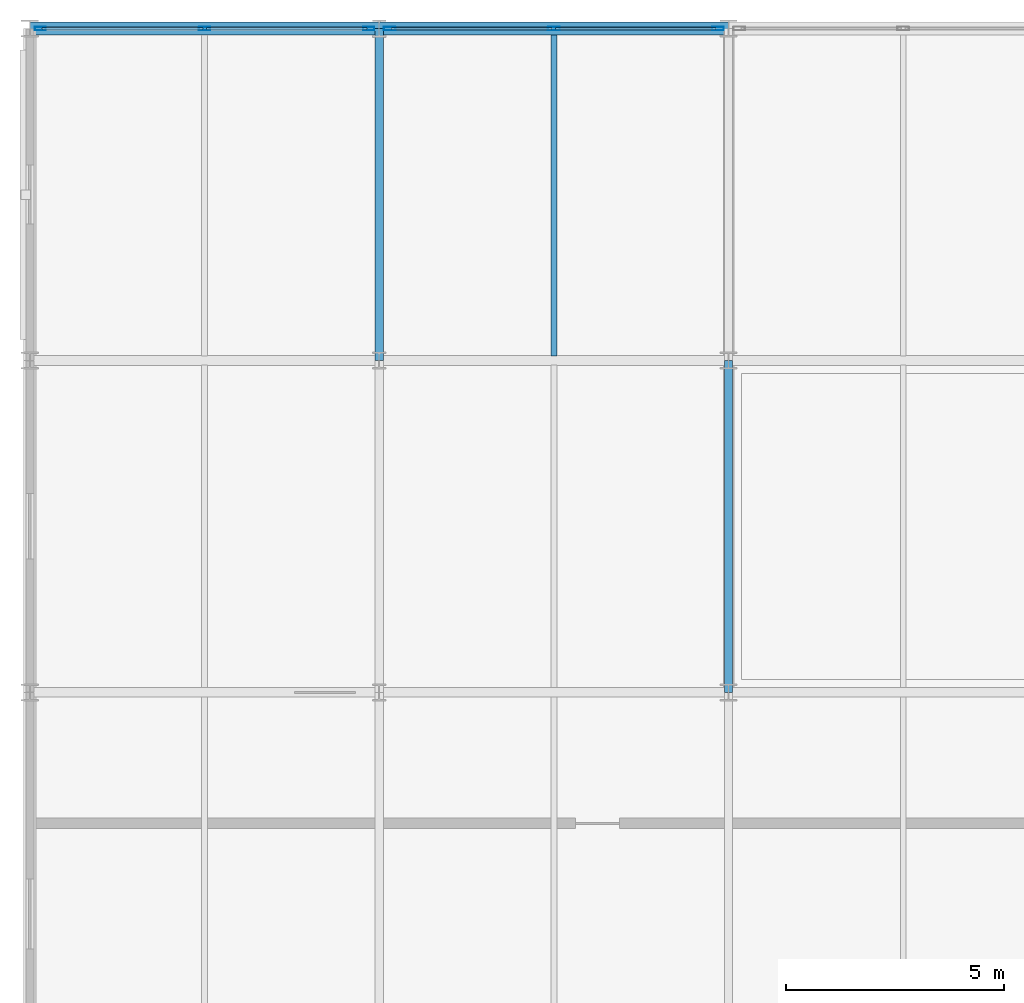
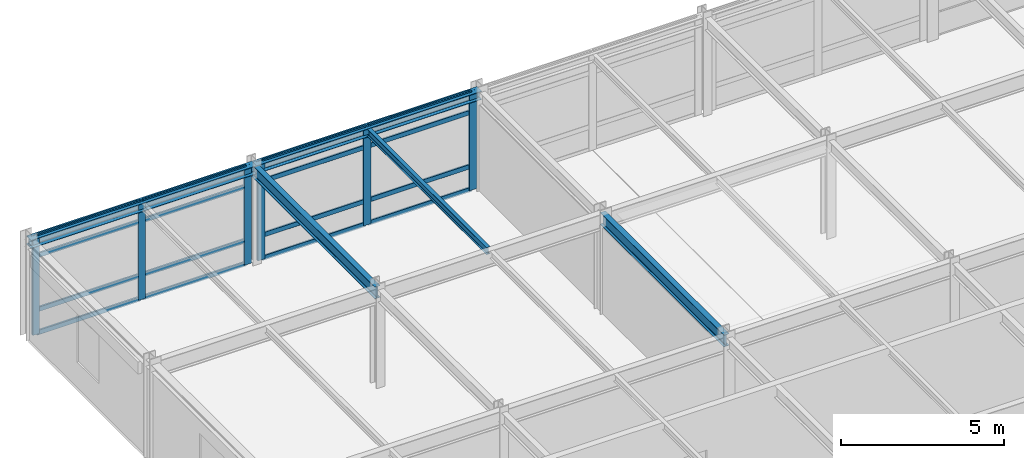
# One storey, part 6 of 14: 22 members, 5 beams, 2 elements without a shape of their own.
"""IFC4 building model written with IfcOpenShell, lengths in metres."""

from ifc_helpers import new_model, si_unit, direction, frame, origin, origin_2d, place, context, subcontext, project, spatial, hollow_rectangle, i_section, extrude, material, layer, layer_set, material_profile, profile_set, type_object, element, aggregate, save


model = new_model("IFC4")

# Units and contexts
model_context = context("Model", 3, precision=1e-05, world=origin(), true_north=direction((0.0, 1.0)))
body_context = subcontext(model_context, "Body", "Model", "MODEL_VIEW")
ifc_project = project(units=[si_unit("LENGTHUNIT", "METRE"), si_unit("AREAUNIT", "SQUARE_METRE"), si_unit("VOLUMEUNIT", "CUBIC_METRE"), si_unit("PLANEANGLEUNIT", "RADIAN"), si_unit("MASSUNIT", "GRAM", prefix="KILO")], contexts=[model_context])

# Site, building, storey
site_placement = place(None, origin())
site = spatial("IfcSite", under=ifc_project, at=site_placement, CompositionType="ELEMENT")
building_placement = place(site_placement, origin())
building = spatial("IfcBuilding", under=site, at=building_placement, Name="Shalkamar Park Central Library", CompositionType="ELEMENT")
storey_placement = place(building_placement, frame((0.0, 0.0, 32.10009765625)))
storey = spatial("IfcBuildingStorey", under=building, at=storey_placement, Name="L08", CompositionType="ELEMENT", Elevation=32.10009765625)

# Beam
ifc_material_1 = material(Name="Steel S355", Category="steel")
ifc_material_profile_1 = material_profile(ifc_material_1, i_section(OverallWidth=0.135009765625, OverallDepth=0.27001953125, WebThickness=0.006591796875, FlangeThickness=0.01025390625, FilletRadius=0.014892578125, at=origin_2d()), Name="IPE 270")
ifc_profile_set_1 = profile_set([ifc_material_profile_1], Name="Steel S355")
beam_type_1 = type_object("IfcBeamType", Name="Composite Floor Joist IPE270", PredefinedType="JOIST", material=ifc_profile_set_1)
beam_1_placement = place(storey_placement, frame((177.0, 285.7080078125, 3.544921875), z_axis=(0.0, 1.0, 0.0), x_axis=(-1.0, 0.0, 0.0)))
element("IfcBeam", 1, at=beam_1_placement, inside=storey, type_object=beam_type_1, Name="Composite Joist 08/G-1 (L08)", PredefinedType="JOIST", context=body_context, shape_type="SweptSolid", body=[
    extrude(i_section(OverallWidth=0.135009765625, OverallDepth=0.27001953125, WebThickness=0.006591796875, FlangeThickness=0.01025390625, FilletRadius=0.014892578125, at=origin_2d()), origin(), (0.0, 0.0, 1.0), 7.343994140625),
])

# Curtain wall, members
ifc_material_2 = material(Name="Thermally broken aluminium and triple low-e curtain wall", Category="aluminium")
ifc_layer_1 = layer(ifc_material_2, 0.2548828125)
ifc_layer_set_1 = layer_set([ifc_layer_1], Name="UnitisedCurtainWall_75")
curtain_wall_type_1 = type_object("IfcCurtainWallType", Name="Unitised Curtain Wall 75", PredefinedType="USERDEFINED", material=ifc_layer_set_1)
curtain_wall_1_placement = place(storey_placement, origin())
curtain_wall_1 = element("IfcCurtainWall", 2, at=curtain_wall_1_placement, inside=storey, type_object=curtain_wall_type_1, Name="Unitised Curtain Wall CW-L08-105", ObjectType="UNITISED CURTAIN WALL", PredefinedType="USERDEFINED")
ifc_material_3 = material(Name="Aluminium 6060-T66", Category="aluminium")
ifc_material_profile_2 = material_profile(ifc_material_3, hollow_rectangle(XDim=0.080078125, YDim=0.2548828125, WallThickness=0.00439453125, InnerFilletRadius=0.00439453125, OuterFilletRadius=0.0068359375, at=origin_2d()), Name="ALU 80x255x4.5")
ifc_profile_set_2 = profile_set([ifc_material_profile_2], Name="Aluminium 6060-T66")
member_type_1 = type_object("IfcMemberType", Name="Curtain Wall Mullion ALU80x255", PredefinedType="MULLION", material=ifc_profile_set_2)
member_1_placement = place(storey_placement, frame((165.242919921875, 293.199951171875, 0.0), z_axis=(0.0, 0.0, 1.0), x_axis=(0.0, 1.0, 0.0)))
member_1 = element("IfcMember", 3, at=member_1_placement, type_object=member_type_1, Name="CW-75 mullion 1", PredefinedType="MULLION", context=body_context, shape_type="SweptSolid", body=[
    extrude(hollow_rectangle(XDim=0.080078125, YDim=0.2548828125, WallThickness=0.00439453125, InnerFilletRadius=0.00439453125, OuterFilletRadius=0.0068359375, at=origin_2d()), origin(), (0.0, 0.0, 1.0), 3.679931640625),
])
member_2_placement = place(storey_placement, frame((169.000732421875, 293.199951171875, 0.0), z_axis=(0.0, 0.0, 1.0), x_axis=(0.0, 1.0, 0.0)))
member_2 = element("IfcMember", 4, at=member_2_placement, type_object=member_type_1, Name="CW-75 mullion 2", PredefinedType="MULLION", context=body_context, shape_type="SweptSolid", body=[
    extrude(hollow_rectangle(XDim=0.080078125, YDim=0.2548828125, WallThickness=0.00439453125, InnerFilletRadius=0.00439453125, OuterFilletRadius=0.0068359375, at=origin_2d()), origin(), (0.0, 0.0, 1.0), 3.679931640625),
])
member_3_placement = place(storey_placement, frame((172.758544921875, 293.199951171875, 0.0), z_axis=(0.0, 0.0, 1.0), x_axis=(0.0, 1.0, 0.0)))
member_3 = element("IfcMember", 5, at=member_3_placement, type_object=member_type_1, Name="CW-75 mullion 3", PredefinedType="MULLION", context=body_context, shape_type="SweptSolid", body=[
    extrude(hollow_rectangle(XDim=0.080078125, YDim=0.2548828125, WallThickness=0.00439453125, InnerFilletRadius=0.00439453125, OuterFilletRadius=0.0068359375, at=origin_2d()), origin(), (0.0, 0.0, 1.0), 3.679931640625),
])

ifc_layer_2 = layer(ifc_material_2, 0.27001953125)
ifc_layer_set_2 = layer_set([ifc_layer_2], Name="UnitisedCurtainWall_76")
curtain_wall_type_2 = type_object("IfcCurtainWallType", Name="Unitised Curtain Wall 76", PredefinedType="USERDEFINED", material=ifc_layer_set_2)
curtain_wall_2_placement = place(storey_placement, origin())
curtain_wall_2 = element("IfcCurtainWall", 6, at=curtain_wall_2_placement, inside=storey, type_object=curtain_wall_type_2, Name="Unitised Curtain Wall CW-L08-106", ObjectType="UNITISED CURTAIN WALL", PredefinedType="USERDEFINED")
ifc_material_profile_3 = material_profile(ifc_material_3, hollow_rectangle(XDim=0.080078125, YDim=0.27001953125, WallThickness=0.0048828125, InnerFilletRadius=0.0048828125, OuterFilletRadius=0.007568359375, at=origin_2d()), Name="ALU 80x270x5")
ifc_profile_set_3 = profile_set([ifc_material_profile_3], Name="Aluminium 6060-T66")
member_type_2 = type_object("IfcMemberType", Name="Curtain Wall Mullion ALU80x270", PredefinedType="MULLION", material=ifc_profile_set_3)
member_4_placement = place(storey_placement, frame((173.241455078125, 293.199951171875, 0.0), z_axis=(0.0, 0.0, 1.0), x_axis=(0.0, 1.0, 0.0)))
member_4 = element("IfcMember", 7, at=member_4_placement, type_object=member_type_2, Name="CW-76 mullion 1", PredefinedType="MULLION", context=body_context, shape_type="SweptSolid", body=[
    extrude(hollow_rectangle(XDim=0.080078125, YDim=0.27001953125, WallThickness=0.0048828125, InnerFilletRadius=0.0048828125, OuterFilletRadius=0.007568359375, at=origin_2d()), origin(), (0.0, 0.0, 1.0), 3.679931640625),
])
member_5_placement = place(storey_placement, frame((176.999267578125, 293.199951171875, 0.0), z_axis=(0.0, 0.0, 1.0), x_axis=(0.0, 1.0, 0.0)))
member_5 = element("IfcMember", 8, at=member_5_placement, type_object=member_type_2, Name="CW-76 mullion 2", PredefinedType="MULLION", context=body_context, shape_type="SweptSolid", body=[
    extrude(hollow_rectangle(XDim=0.080078125, YDim=0.27001953125, WallThickness=0.0048828125, InnerFilletRadius=0.0048828125, OuterFilletRadius=0.007568359375, at=origin_2d()), origin(), (0.0, 0.0, 1.0), 3.679931640625),
])
member_6_placement = place(storey_placement, frame((180.757080078125, 293.199951171875, 0.0), z_axis=(0.0, 0.0, 1.0), x_axis=(0.0, 1.0, 0.0)))
member_6 = element("IfcMember", 9, at=member_6_placement, type_object=member_type_2, Name="CW-76 mullion 3", PredefinedType="MULLION", context=body_context, shape_type="SweptSolid", body=[
    extrude(hollow_rectangle(XDim=0.080078125, YDim=0.27001953125, WallThickness=0.0048828125, InnerFilletRadius=0.0048828125, OuterFilletRadius=0.007568359375, at=origin_2d()), origin(), (0.0, 0.0, 1.0), 3.679931640625),
])

# Member
ifc_material_profile_4 = material_profile(ifc_material_3, hollow_rectangle(XDim=0.06494140625, YDim=0.169921875, WallThickness=0.00390625, InnerFilletRadius=0.00390625, OuterFilletRadius=0.006103515625, at=origin_2d()), Name="ALU 65x170x4")
ifc_profile_set_4 = profile_set([ifc_material_profile_4], Name="Aluminium 6060-T66")
member_type_3 = type_object("IfcMemberType", Name="Curtain Wall Transom ALU65x170", PredefinedType="USERDEFINED", material=ifc_profile_set_4)
member_7_placement = place(storey_placement, frame((165.282958984375, 293.199951171875, 0.032470703125), z_axis=(1.0, 0.0, 0.0), x_axis=(0.0, 1.0, 0.0)))
member_7 = element("IfcMember", 10, at=member_7_placement, type_object=member_type_3, Name="CW-75 transom 1.1", ObjectType="TRANSOM", PredefinedType="USERDEFINED", context=body_context, shape_type="SweptSolid", body=[
    extrude(hollow_rectangle(XDim=0.06494140625, YDim=0.169921875, WallThickness=0.00390625, InnerFilletRadius=0.00390625, OuterFilletRadius=0.006103515625, at=origin_2d()), origin(), (0.0, 0.0, 1.0), 3.677734375),
])

member_8_placement = place(storey_placement, frame((165.282958984375, 293.199951171875, 0.89990234375), z_axis=(1.0, 0.0, 0.0), x_axis=(0.0, 1.0, 0.0)))
member_8 = element("IfcMember", 11, at=member_8_placement, type_object=member_type_3, Name="CW-75 transom 1.2", ObjectType="TRANSOM", PredefinedType="USERDEFINED", context=body_context, shape_type="SweptSolid", body=[
    extrude(hollow_rectangle(XDim=0.06494140625, YDim=0.169921875, WallThickness=0.00390625, InnerFilletRadius=0.00390625, OuterFilletRadius=0.006103515625, at=origin_2d()), origin(), (0.0, 0.0, 1.0), 3.677734375),
])

member_9_placement = place(storey_placement, frame((165.282958984375, 293.199951171875, 2.929931640625), z_axis=(1.0, 0.0, 0.0), x_axis=(0.0, 1.0, 0.0)))
member_9 = element("IfcMember", 12, at=member_9_placement, type_object=member_type_3, Name="CW-75 transom 1.3", ObjectType="TRANSOM", PredefinedType="USERDEFINED", context=body_context, shape_type="SweptSolid", body=[
    extrude(hollow_rectangle(XDim=0.06494140625, YDim=0.169921875, WallThickness=0.00390625, InnerFilletRadius=0.00390625, OuterFilletRadius=0.006103515625, at=origin_2d()), origin(), (0.0, 0.0, 1.0), 3.677734375),
])

member_10_placement = place(storey_placement, frame((165.282958984375, 293.199951171875, 3.6474609375), z_axis=(1.0, 0.0, 0.0), x_axis=(0.0, 1.0, 0.0)))
member_10 = element("IfcMember", 13, at=member_10_placement, type_object=member_type_3, Name="CW-75 transom 1.4", ObjectType="TRANSOM", PredefinedType="USERDEFINED", context=body_context, shape_type="SweptSolid", body=[
    extrude(hollow_rectangle(XDim=0.06494140625, YDim=0.169921875, WallThickness=0.00390625, InnerFilletRadius=0.00390625, OuterFilletRadius=0.006103515625, at=origin_2d()), origin(), (0.0, 0.0, 1.0), 3.677734375),
])

member_11_placement = place(storey_placement, frame((169.040771484375, 293.199951171875, 0.032470703125), z_axis=(1.0, 0.0, 0.0), x_axis=(0.0, 1.0, 0.0)))
member_11 = element("IfcMember", 14, at=member_11_placement, type_object=member_type_3, Name="CW-75 transom 2.1", ObjectType="TRANSOM", PredefinedType="USERDEFINED", context=body_context, shape_type="SweptSolid", body=[
    extrude(hollow_rectangle(XDim=0.06494140625, YDim=0.169921875, WallThickness=0.00390625, InnerFilletRadius=0.00390625, OuterFilletRadius=0.006103515625, at=origin_2d()), origin(), (0.0, 0.0, 1.0), 3.677734375),
])

member_12_placement = place(storey_placement, frame((169.040771484375, 293.199951171875, 0.89990234375), z_axis=(1.0, 0.0, 0.0), x_axis=(0.0, 1.0, 0.0)))
member_12 = element("IfcMember", 15, at=member_12_placement, type_object=member_type_3, Name="CW-75 transom 2.2", ObjectType="TRANSOM", PredefinedType="USERDEFINED", context=body_context, shape_type="SweptSolid", body=[
    extrude(hollow_rectangle(XDim=0.06494140625, YDim=0.169921875, WallThickness=0.00390625, InnerFilletRadius=0.00390625, OuterFilletRadius=0.006103515625, at=origin_2d()), origin(), (0.0, 0.0, 1.0), 3.677734375),
])

member_13_placement = place(storey_placement, frame((169.040771484375, 293.199951171875, 2.929931640625), z_axis=(1.0, 0.0, 0.0), x_axis=(0.0, 1.0, 0.0)))
member_13 = element("IfcMember", 16, at=member_13_placement, type_object=member_type_3, Name="CW-75 transom 2.3", ObjectType="TRANSOM", PredefinedType="USERDEFINED", context=body_context, shape_type="SweptSolid", body=[
    extrude(hollow_rectangle(XDim=0.06494140625, YDim=0.169921875, WallThickness=0.00390625, InnerFilletRadius=0.00390625, OuterFilletRadius=0.006103515625, at=origin_2d()), origin(), (0.0, 0.0, 1.0), 3.677734375),
])

member_14_placement = place(storey_placement, frame((169.040771484375, 293.199951171875, 3.6474609375), z_axis=(1.0, 0.0, 0.0), x_axis=(0.0, 1.0, 0.0)))
member_14 = element("IfcMember", 17, at=member_14_placement, type_object=member_type_3, Name="CW-75 transom 2.4", ObjectType="TRANSOM", PredefinedType="USERDEFINED", context=body_context, shape_type="SweptSolid", body=[
    extrude(hollow_rectangle(XDim=0.06494140625, YDim=0.169921875, WallThickness=0.00390625, InnerFilletRadius=0.00390625, OuterFilletRadius=0.006103515625, at=origin_2d()), origin(), (0.0, 0.0, 1.0), 3.677734375),
])

aggregate(curtain_wall_1, [member_1, member_2, member_3, member_7, member_8, member_9, member_10, member_11, member_12, member_13, member_14])

ifc_material_profile_5 = material_profile(ifc_material_3, hollow_rectangle(XDim=0.06494140625, YDim=0.175048828125, WallThickness=0.00439453125, InnerFilletRadius=0.00439453125, OuterFilletRadius=0.0068359375, at=origin_2d()), Name="ALU 65x175x4.5")
ifc_profile_set_5 = profile_set([ifc_material_profile_5], Name="Aluminium 6060-T66")
member_type_4 = type_object("IfcMemberType", Name="Curtain Wall Transom ALU65x175", PredefinedType="USERDEFINED", material=ifc_profile_set_5)
member_15_placement = place(storey_placement, frame((173.281494140625, 293.199951171875, 0.032470703125), z_axis=(1.0, 0.0, 0.0), x_axis=(0.0, 1.0, 0.0)))
member_15 = element("IfcMember", 18, at=member_15_placement, type_object=member_type_4, Name="CW-76 transom 1.1", ObjectType="TRANSOM", PredefinedType="USERDEFINED", context=body_context, shape_type="SweptSolid", body=[
    extrude(hollow_rectangle(XDim=0.06494140625, YDim=0.175048828125, WallThickness=0.00439453125, InnerFilletRadius=0.00439453125, OuterFilletRadius=0.0068359375, at=origin_2d()), origin(), (0.0, 0.0, 1.0), 3.677734375),
])

member_16_placement = place(storey_placement, frame((173.281494140625, 293.199951171875, 0.89990234375), z_axis=(1.0, 0.0, 0.0), x_axis=(0.0, 1.0, 0.0)))
member_16 = element("IfcMember", 19, at=member_16_placement, type_object=member_type_4, Name="CW-76 transom 1.2", ObjectType="TRANSOM", PredefinedType="USERDEFINED", context=body_context, shape_type="SweptSolid", body=[
    extrude(hollow_rectangle(XDim=0.06494140625, YDim=0.175048828125, WallThickness=0.00439453125, InnerFilletRadius=0.00439453125, OuterFilletRadius=0.0068359375, at=origin_2d()), origin(), (0.0, 0.0, 1.0), 3.677734375),
])

member_17_placement = place(storey_placement, frame((173.281494140625, 293.199951171875, 2.929931640625), z_axis=(1.0, 0.0, 0.0), x_axis=(0.0, 1.0, 0.0)))
member_17 = element("IfcMember", 20, at=member_17_placement, type_object=member_type_4, Name="CW-76 transom 1.3", ObjectType="TRANSOM", PredefinedType="USERDEFINED", context=body_context, shape_type="SweptSolid", body=[
    extrude(hollow_rectangle(XDim=0.06494140625, YDim=0.175048828125, WallThickness=0.00439453125, InnerFilletRadius=0.00439453125, OuterFilletRadius=0.0068359375, at=origin_2d()), origin(), (0.0, 0.0, 1.0), 3.677734375),
])

member_18_placement = place(storey_placement, frame((173.281494140625, 293.199951171875, 3.6474609375), z_axis=(1.0, 0.0, 0.0), x_axis=(0.0, 1.0, 0.0)))
member_18 = element("IfcMember", 21, at=member_18_placement, type_object=member_type_4, Name="CW-76 transom 1.4", ObjectType="TRANSOM", PredefinedType="USERDEFINED", context=body_context, shape_type="SweptSolid", body=[
    extrude(hollow_rectangle(XDim=0.06494140625, YDim=0.175048828125, WallThickness=0.00439453125, InnerFilletRadius=0.00439453125, OuterFilletRadius=0.0068359375, at=origin_2d()), origin(), (0.0, 0.0, 1.0), 3.677734375),
])

member_19_placement = place(storey_placement, frame((177.039306640625, 293.199951171875, 0.032470703125), z_axis=(1.0, 0.0, 0.0), x_axis=(0.0, 1.0, 0.0)))
member_19 = element("IfcMember", 22, at=member_19_placement, type_object=member_type_4, Name="CW-76 transom 2.1", ObjectType="TRANSOM", PredefinedType="USERDEFINED", context=body_context, shape_type="SweptSolid", body=[
    extrude(hollow_rectangle(XDim=0.06494140625, YDim=0.175048828125, WallThickness=0.00439453125, InnerFilletRadius=0.00439453125, OuterFilletRadius=0.0068359375, at=origin_2d()), origin(), (0.0, 0.0, 1.0), 3.677734375),
])

member_20_placement = place(storey_placement, frame((177.039306640625, 293.199951171875, 0.89990234375), z_axis=(1.0, 0.0, 0.0), x_axis=(0.0, 1.0, 0.0)))
member_20 = element("IfcMember", 23, at=member_20_placement, type_object=member_type_4, Name="CW-76 transom 2.2", ObjectType="TRANSOM", PredefinedType="USERDEFINED", context=body_context, shape_type="SweptSolid", body=[
    extrude(hollow_rectangle(XDim=0.06494140625, YDim=0.175048828125, WallThickness=0.00439453125, InnerFilletRadius=0.00439453125, OuterFilletRadius=0.0068359375, at=origin_2d()), origin(), (0.0, 0.0, 1.0), 3.677734375),
])

member_21_placement = place(storey_placement, frame((177.039306640625, 293.199951171875, 2.929931640625), z_axis=(1.0, 0.0, 0.0), x_axis=(0.0, 1.0, 0.0)))
member_21 = element("IfcMember", 24, at=member_21_placement, type_object=member_type_4, Name="CW-76 transom 2.3", ObjectType="TRANSOM", PredefinedType="USERDEFINED", context=body_context, shape_type="SweptSolid", body=[
    extrude(hollow_rectangle(XDim=0.06494140625, YDim=0.175048828125, WallThickness=0.00439453125, InnerFilletRadius=0.00439453125, OuterFilletRadius=0.0068359375, at=origin_2d()), origin(), (0.0, 0.0, 1.0), 3.677734375),
])

member_22_placement = place(storey_placement, frame((177.039306640625, 293.199951171875, 3.6474609375), z_axis=(1.0, 0.0, 0.0), x_axis=(0.0, 1.0, 0.0)))
member_22 = element("IfcMember", 25, at=member_22_placement, type_object=member_type_4, Name="CW-76 transom 2.4", ObjectType="TRANSOM", PredefinedType="USERDEFINED", context=body_context, shape_type="SweptSolid", body=[
    extrude(hollow_rectangle(XDim=0.06494140625, YDim=0.175048828125, WallThickness=0.00439453125, InnerFilletRadius=0.00439453125, OuterFilletRadius=0.0068359375, at=origin_2d()), origin(), (0.0, 0.0, 1.0), 3.677734375),
])

aggregate(curtain_wall_2, [member_4, member_5, member_6, member_15, member_16, member_17, member_18, member_19, member_20, member_21, member_22])

# Beams
ifc_material_profile_6 = material_profile(ifc_material_1, i_section(OverallWidth=0.300048828125, OverallDepth=0.31005859375, WebThickness=0.009033203125, FlangeThickness=0.015380859375, FilletRadius=0.027099609375, at=origin_2d()), Name="HEA 320")
ifc_profile_set_6 = profile_set([ifc_material_profile_6], Name="Steel S355")
beam_type_2 = type_object("IfcBeamType", Name="Perimeter Spandrel Beam HEA320", PredefinedType="SPANDREL", material=ifc_profile_set_6)
for number, where, z_axis, x_axis, name in (
    (26, (165.0, 293.199951171875, 3.52490234375), (1.0, 0.0, 0.0), (0.0, 1.0, 0.0), "Beam H:07-08 (L08)"),
    (27, (173.0, 293.199951171875, 3.52490234375), (1.0, 0.0, 0.0), (0.0, 1.0, 0.0), "Beam H:08-09 (L08)"),
):
    element("IfcBeam", number, at=place(storey_placement, frame(where, z_axis=z_axis, x_axis=x_axis)), inside=storey, type_object=beam_type_2, Name=name, PredefinedType="SPANDREL", context=body_context, shape_type="SweptSolid", body=[
        extrude(i_section(OverallWidth=0.300048828125, OverallDepth=0.31005859375, WebThickness=0.009033203125, FlangeThickness=0.015380859375, FilletRadius=0.027099609375, at=origin_2d()), origin(), (0.0, 0.0, 1.0), 8.0),
    ])
ifc_material_profile_7 = material_profile(ifc_material_1, i_section(OverallWidth=0.18994140625, OverallDepth=0.449951171875, WebThickness=0.009521484375, FlangeThickness=0.0146484375, FilletRadius=0.02099609375, at=origin_2d()), Name="IPE 450")
ifc_profile_set_7 = profile_set([ifc_material_profile_7], Name="Steel S355")
beam_type_3 = type_object("IfcBeamType", Name="Primary Girder IPE450", PredefinedType="BEAM", material=ifc_profile_set_7)
beam_2_placement = place(storey_placement, frame((173.0, 285.60009765625, 3.454833984375), z_axis=(0.0, 1.0, 0.0), x_axis=(-1.0, 0.0, 0.0)))
element("IfcBeam", 28, at=beam_2_placement, inside=storey, type_object=beam_type_3, Name="Beam 08:G-H (L08)", PredefinedType="BEAM", context=body_context, shape_type="SweptSolid", body=[
    extrude(i_section(OverallWidth=0.18994140625, OverallDepth=0.449951171875, WebThickness=0.009521484375, FlangeThickness=0.0146484375, FilletRadius=0.02099609375, at=origin_2d()), origin(), (0.0, 0.0, 1.0), 7.599853515625),
])
beam_3_placement = place(storey_placement, frame((181.0, 278.0, 3.454833984375), z_axis=(0.0, 1.0, 0.0), x_axis=(-1.0, 0.0, 0.0)))
element("IfcBeam", 29, at=beam_3_placement, inside=storey, type_object=beam_type_3, Name="Beam 09:F-G (L08)", PredefinedType="BEAM", context=body_context, shape_type="SweptSolid", body=[
    extrude(i_section(OverallWidth=0.18994140625, OverallDepth=0.449951171875, WebThickness=0.009521484375, FlangeThickness=0.0146484375, FilletRadius=0.02099609375, at=origin_2d()), origin(), (0.0, 0.0, 1.0), 7.60009765625),
])

save(model, "model.ifc")
